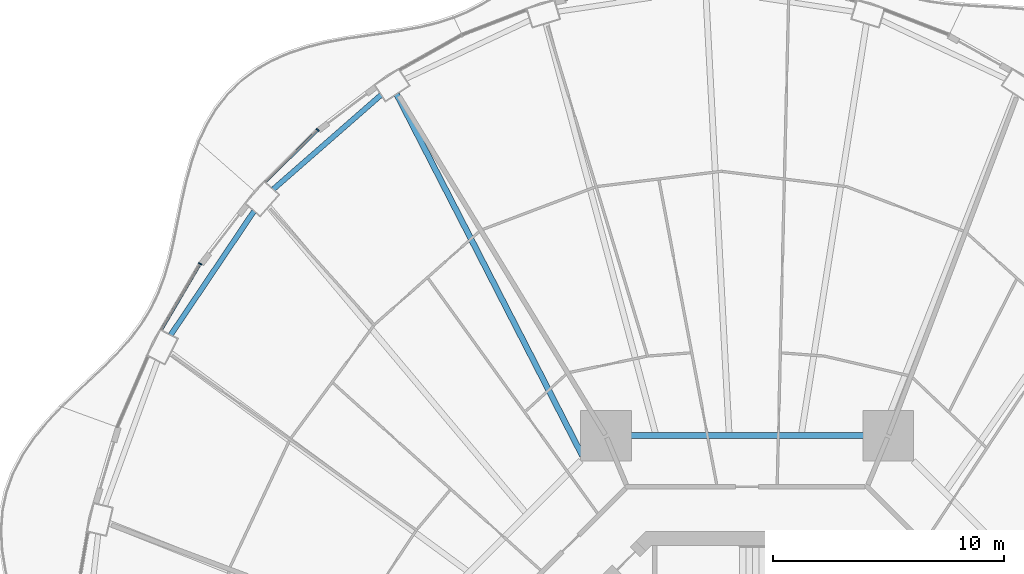
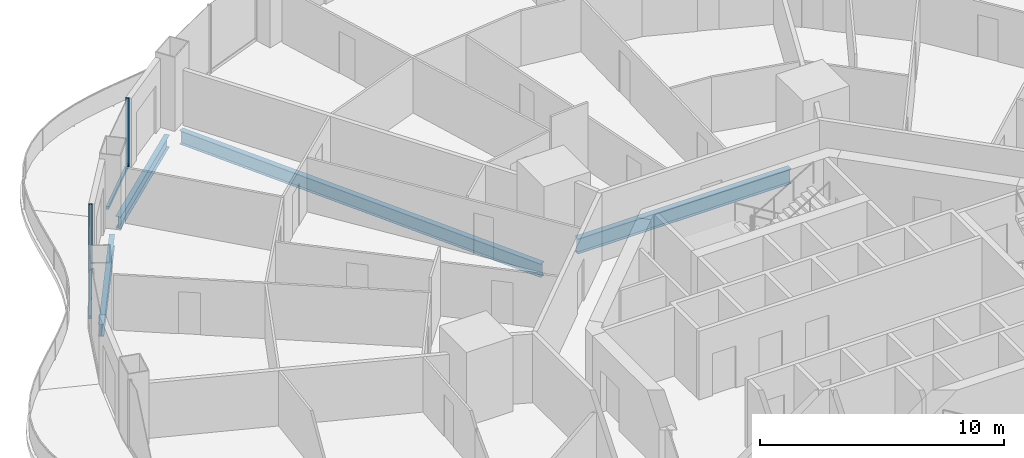
# One storey, part 8 of 24: 4 beams, 4 members, 2 elements without a shape of their own.
"""IFC4 building model written with IfcOpenShell, lengths in metres."""

from ifc_helpers import new_model, si_unit, direction, frame, origin, origin_2d, place, context, subcontext, project, spatial, rectangle, i_section, extrude, material, layer, layer_set, material_profile, profile_set, type_object, element, aggregate, save


model = new_model("IFC4")

# Units and contexts
model_context = context("Model", 3, precision=1e-05, world=origin(), true_north=direction((0.0, 1.0)))
body_context = subcontext(model_context, "Body", "Model", "MODEL_VIEW")
ifc_project = project(units=[si_unit("LENGTHUNIT", "METRE"), si_unit("AREAUNIT", "SQUARE_METRE"), si_unit("VOLUMEUNIT", "CUBIC_METRE"), si_unit("PLANEANGLEUNIT", "RADIAN"), si_unit("MASSUNIT", "GRAM", prefix="KILO")], contexts=[model_context])

# Site, building, storey
site_placement = place(None, origin())
site = spatial("IfcSite", under=ifc_project, at=site_placement, CompositionType="ELEMENT")
building_placement = place(site_placement, origin())
building = spatial("IfcBuilding", under=site, at=building_placement, Name="Nagisa Residences", CompositionType="ELEMENT")
storey_placement = place(building_placement, frame((0.0, 0.0, 102.89990234375)))
storey = spatial("IfcBuildingStorey", under=building, at=storey_placement, Name="L25", CompositionType="ELEMENT", Elevation=102.89990234375)

# Curtain wall, member
ifc_material_1 = material(Name="Concrete-coloured aluminium curtain wall system", Category="concrete")
ifc_layer = layer(ifc_material_1, 0.159912109375)
ifc_layer_set = layer_set([ifc_layer], Name="CW1 CURTAIN WALL")
curtain_wall_type = type_object("IfcCurtainWallType", Name="CW1 CURTAIN WALL", PredefinedType="NOTDEFINED", material=ifc_layer_set)
curtain_wall_1_placement = place(storey_placement, origin())
curtain_wall_1 = element("IfcCurtainWall", 1, at=curtain_wall_1_placement, inside=storey, type_object=curtain_wall_type, Name="cw:CW1:L25:17", PredefinedType="NOTDEFINED")
ifc_material_2 = material(Name="Concrete-coloured aluminium", Category="concrete")
ifc_material_profile_1 = material_profile(ifc_material_2, rectangle(XDim=0.159912109375, YDim=0.06005859375, at=origin_2d()), Name="CW1 MULLION 160x60")
ifc_profile_set_1 = profile_set([ifc_material_profile_1], Name="Concrete-coloured aluminium")
member_type_1 = type_object("IfcMemberType", Name="CW1 MULLION 160x60", PredefinedType="MULLION", material=ifc_profile_set_1)
member_1_placement = place(storey_placement, frame((-18.624267578125, 28.04248046875, 0.0), z_axis=(0.0, 0.0, 1.0), x_axis=(0.706376885714, -0.707835924016, 0.0)))
member_1 = element("IfcMember", 2, at=member_1_placement, type_object=member_type_1, Name="CW1 mullion", PredefinedType="MULLION", context=body_context, shape_type="SweptSolid", body=[
    extrude(rectangle(XDim=0.159912109375, YDim=0.06005859375, at=origin_2d()), origin(), (0.0, 0.0, 1.0), 3.440185546875),
])

curtain_wall_2_placement = place(storey_placement, origin())
curtain_wall_2 = element("IfcCurtainWall", 3, at=curtain_wall_2_placement, inside=storey, type_object=curtain_wall_type, Name="cw:CW1:L25:19", PredefinedType="NOTDEFINED")
member_2_placement = place(storey_placement, frame((-23.718017578125, 22.236328125, 0.0), z_axis=(0.0, 0.0, 1.0), x_axis=(0.862328898214, -0.506348567002, 0.0)))
member_2 = element("IfcMember", 4, at=member_2_placement, type_object=member_type_1, Name="CW1 mullion", PredefinedType="MULLION", context=body_context, shape_type="SweptSolid", body=[
    extrude(rectangle(XDim=0.159912109375, YDim=0.06005859375, at=origin_2d()), origin(), (0.0, 0.0, 1.0), 3.440185546875),
])

# Member
ifc_material_3 = material(Name="Concrete-coloured aluminium", Category="concrete")
ifc_material_profile_2 = material_profile(ifc_material_3, rectangle(XDim=0.1201171875, YDim=0.14990234375, at=origin_2d()), Name="CW1 TRANSOM 120x150")
ifc_profile_set_2 = profile_set([ifc_material_profile_2], Name="Concrete-coloured aluminium")
member_type_2 = type_object("IfcMemberType", Name="CW1 TRANSOM 120x150", PredefinedType="USERDEFINED", material=ifc_profile_set_2)
member_3_placement = place(storey_placement, frame((-18.60302734375, 28.0634765625, 0.0751953125), z_axis=(-0.707869817944, -0.706342920149, 0.0), x_axis=(0.706342920149, -0.707869817944, 0.0)))
member_3 = element("IfcMember", 5, at=member_3_placement, type_object=member_type_2, Name="CW1 transom", ObjectType="TRANSOM", PredefinedType="USERDEFINED", context=body_context, shape_type="SweptSolid", body=[
    extrude(rectangle(XDim=0.1201171875, YDim=0.14990234375, at=origin_2d()), origin(), (0.0, 0.0, 1.0), 3.19775390625),
])

aggregate(curtain_wall_1, [member_1, member_3])

member_4_placement = place(storey_placement, frame((-23.702880859375, 22.26220703125, 0.0751953125), z_axis=(-0.506384588027, -0.862307746114, 0.0), x_axis=(0.862307746114, -0.506384588027, 0.0)))
member_4 = element("IfcMember", 6, at=member_4_placement, type_object=member_type_2, Name="CW1 transom", ObjectType="TRANSOM", PredefinedType="USERDEFINED", context=body_context, shape_type="SweptSolid", body=[
    extrude(rectangle(XDim=0.1201171875, YDim=0.14990234375, at=origin_2d()), origin(), (0.0, 0.0, 1.0), 3.32470703125),
])

aggregate(curtain_wall_2, [member_2, member_4])

# Beams
ifc_material_4 = material(Name="Steel ASTM A572 Gr 50", Category="steel")
ifc_material_profile_3 = material_profile(ifc_material_4, i_section(OverallWidth=0.264892578125, OverallDepth=0.7529296875, WebThickness=0.01318359375, FlangeThickness=0.01708984375, at=origin_2d()), Name="W760x147")
ifc_profile_set_3 = profile_set([ifc_material_profile_3], Name="Steel ASTM A572 Gr 50")
beam_type_1 = type_object("IfcBeamType", Name="Inner ring beam W760x147", PredefinedType="BEAM", material=ifc_profile_set_3)
beam_1_placement = place(storey_placement, frame((5.04296875, 14.781982421875, -0.636474609375), z_axis=(-1.0, 0.0, 0.0), x_axis=(0.0, -1.0, 0.0)))
element("IfcBeam", 7, at=beam_1_placement, inside=storey, type_object=beam_type_1, Name="beam:L25:ib2", PredefinedType="BEAM", context=body_context, shape_type="SweptSolid", body=[
    extrude(i_section(OverallWidth=0.264892578125, OverallDepth=0.7529296875, WebThickness=0.01318359375, FlangeThickness=0.01708984375, at=origin_2d()), origin(), (0.0, 0.0, 1.0), 10.0859375),
])
ifc_material_5 = material(Name="Steel ASTM A572 Gr 50", Category="steel")
ifc_material_profile_4 = material_profile(ifc_material_5, i_section(OverallWidth=0.22802734375, OverallDepth=0.60302734375, WebThickness=0.010498046875, FlangeThickness=0.014892578125, at=origin_2d()), Name="W610x101")
ifc_profile_set_4 = profile_set([ifc_material_profile_4], Name="Steel ASTM A572 Gr 50")
beam_type_2 = type_object("IfcBeamType", Name="Perimeter ring beam W610x101", PredefinedType="BEAM", material=ifc_profile_set_4)
beam_2_placement = place(storey_placement, frame((-15.876220703125, 29.55859375, -0.5615234375), z_axis=(-0.752542612886, -0.658543556488, 0.0), x_axis=(0.658543556488, -0.752542612886, 0.0)))
element("IfcBeam", 8, at=beam_2_placement, inside=storey, type_object=beam_type_2, Name="beam:L25:pb09", PredefinedType="BEAM", context=body_context, shape_type="SweptSolid", body=[
    extrude(i_section(OverallWidth=0.22802734375, OverallDepth=0.60302734375, WebThickness=0.010498046875, FlangeThickness=0.014892578125, at=origin_2d()), origin(), (0.0, 0.0, 1.0), 6.212646484375),
])
beam_3_placement = place(storey_placement, frame((-21.384521484375, 24.521484375, -0.5615234375), z_axis=(-0.558221079259, -0.829692248168, 0.0), x_axis=(0.829692248168, -0.558221079259, 0.0)))
element("IfcBeam", 9, at=beam_3_placement, inside=storey, type_object=beam_type_2, Name="beam:L25:pb10", PredefinedType="BEAM", context=body_context, shape_type="SweptSolid", body=[
    extrude(i_section(OverallWidth=0.22802734375, OverallDepth=0.60302734375, WebThickness=0.010498046875, FlangeThickness=0.014892578125, at=origin_2d()), origin(), (0.0, 0.0, 1.0), 6.471435546875),
])
ifc_material_6 = material(Name="Steel ASTM A572 Gr 50", Category="steel")
ifc_material_profile_5 = material_profile(ifc_material_6, i_section(OverallWidth=0.2529296875, OverallDepth=0.677978515625, WebThickness=0.01171875, FlangeThickness=0.016357421875, at=origin_2d()), Name="W690x125")
ifc_profile_set_5 = profile_set([ifc_material_profile_5], Name="Steel ASTM A572 Gr 50")
beam_type_3 = type_object("IfcBeamType", Name="Radial beam W690x125", PredefinedType="BEAM", material=ifc_profile_set_5)
beam_4_placement = place(storey_placement, frame((-15.199951171875, 29.5927734375, -0.598876953125), z_axis=(0.456890609608, -0.889522889448, 0.0), x_axis=(0.889522889448, 0.456890609608, 0.0)))
element("IfcBeam", 10, at=beam_4_placement, inside=storey, type_object=beam_type_3, Name="beam:L25:rb09", PredefinedType="BEAM", context=body_context, shape_type="SweptSolid", body=[
    extrude(i_section(OverallWidth=0.2529296875, OverallDepth=0.677978515625, WebThickness=0.01171875, FlangeThickness=0.016357421875, at=origin_2d()), origin(), (0.0, 0.0, 1.0), 17.622314453125),
])

save(model, "model.ifc")
